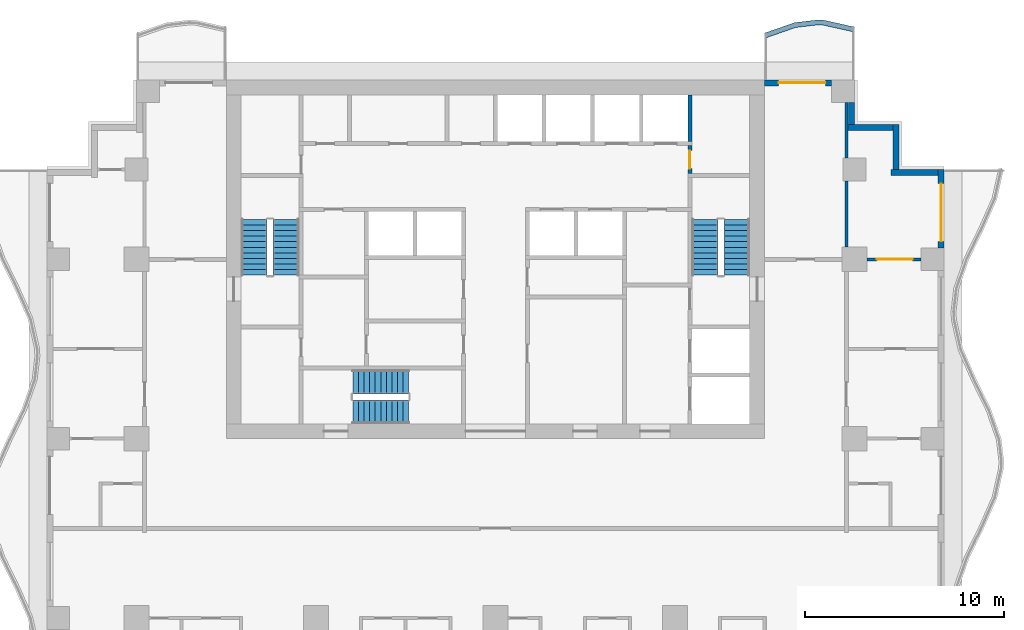
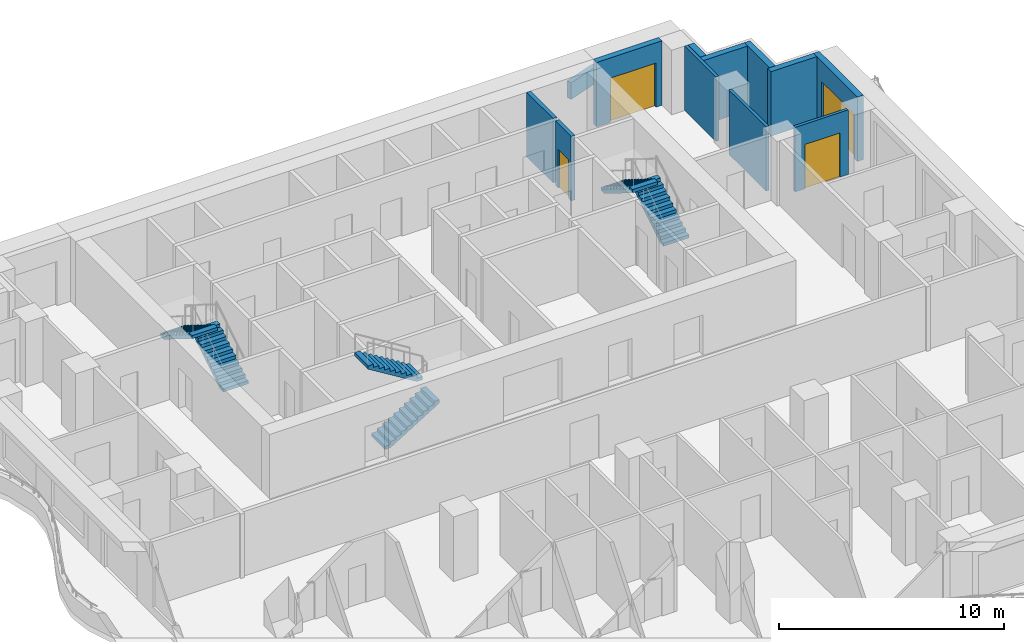
# One storey, part 6 of 10: 12 walls, 6 stair flights, 4 doors, 4 openings, 3 elements without a shape of their own.
"""IFC4 building model written with IfcOpenShell, lengths in metres."""

from ifc_helpers import new_model, si_unit, direction, frame, frame_2d, origin, place, context, subcontext, project, spatial, polyline, rectangle, outline, extrude, material, layer, layer_set, type_object, element, fill, aggregate, save


model = new_model("IFC4")

# Units and contexts
model_context = context("Model", 3, precision=1e-05, world=origin(), true_north=direction((0.0, 1.0)))
body_context = subcontext(model_context, "Body", "Model", "MODEL_VIEW")
ifc_project = project(units=[si_unit("LENGTHUNIT", "METRE"), si_unit("AREAUNIT", "SQUARE_METRE"), si_unit("VOLUMEUNIT", "CUBIC_METRE"), si_unit("PLANEANGLEUNIT", "RADIAN"), si_unit("MASSUNIT", "GRAM", prefix="KILO")], contexts=[model_context])

# Site, building, storey
site_placement = place(None, origin())
site = spatial("IfcSite", under=ifc_project, at=site_placement, CompositionType="ELEMENT")
building_placement = place(site_placement, origin())
building = spatial("IfcBuilding", under=site, at=building_placement, Name="Orbiselva Terraces", CompositionType="ELEMENT")
storey_placement = place(building_placement, frame((0.0, 0.0, 147.8)))
storey = spatial("IfcBuildingStorey", under=building, at=storey_placement, Name="L37", CompositionType="ELEMENT", Elevation=147.8)

# Wall, opening, door
ifc_material_1 = material(Name="Masonry blockwork", Category="masonry")
ifc_layer_1 = layer(ifc_material_1, 0.2)
ifc_layer_set_1 = layer_set([ifc_layer_1], Name="Masonry blockwork")
wall_type_1 = type_object("IfcWallType", Name="CORE-WALL-PARTITION-200", PredefinedType="PARTITIONING", material=ifc_layer_set_1)
wall_1_placement = place(storey_placement, frame((9.75, 19.2, 0.0), z_axis=(0.0, 0.0, 1.0), x_axis=(0.0, -1.0, 0.0)))
wall_1 = element("IfcWall", 1, at=wall_1_placement, inside=storey, type_object=wall_type_1, Name="L37 core wall 51", PredefinedType="PARTITIONING", context=body_context, shape_type="SweptSolid", body=[
    extrude(rectangle(XDim=1.4, YDim=0.2, at=frame_2d((0.7, 0.0))), origin(), (0.0, 0.0, 1.0), 3.5),
])
opening_1_placement = place(wall_1_placement, frame((0.25, 0.0, 0.0)))
opening_1 = element("IfcOpeningElement", 2, at=opening_1_placement, cuts=wall_1, Name="Opening DR900", PredefinedType="OPENING", context=body_context, shape_type="SweptSolid", body=[
    extrude(rectangle(XDim=0.9, YDim=2.1, at=frame_2d((0.45, 1.05))), frame((0.0, 0.11, 0.0), z_axis=(0.0, -1.0, 0.0), x_axis=(1.0, 0.0, 0.0)), (0.0, 0.0, 1.0), 0.22),
])
ifc_material_2 = material(Name="Steel fire door", Category="steel")
door_type_1 = type_object("IfcDoorType", Name="ROOM DOOR 900", OperationType="NOTDEFINED", PredefinedType="DOOR", material=ifc_material_2)
door_1_placement = place(opening_1_placement, origin())
door_1 = element("IfcDoor", 3, at=door_1_placement, inside=storey, type_object=door_type_1, Name="L37 ELECTRICAL RISER ROOM door", OperationType="SINGLE_SWING_RIGHT", OverallHeight=2.1, OverallWidth=0.9, PredefinedType="DOOR", context=body_context, shape_type="SweptSolid", body=[
    extrude(rectangle(XDim=0.9, YDim=2.1, at=frame_2d((0.45, 1.05))), frame((0.0, 0.025, 0.0), z_axis=(0.0, -1.0, 0.0), x_axis=(1.0, 0.0, 0.0)), (0.0, 0.0, 1.0), 0.05),
])
fill(opening_1, door_1)

# Walls
ifc_material_3 = material(Name="Concrete C40/50", Category="concrete")
ifc_layer_2 = layer(ifc_material_3, 0.2)
ifc_layer_set_2 = layer_set([ifc_layer_2], Name="Concrete C40/50")
wall_type_2 = type_object("IfcWallType", Name="CORE-WALL-SHAFT-200", PredefinedType="PARTITIONING", material=ifc_layer_set_2)
wall_2_placement = place(storey_placement, frame((9.75, 19.4, 0.0), z_axis=(0.0, 0.0, 1.0), x_axis=(0.0, 1.0, 0.0)))
element("IfcWall", 4, at=wall_2_placement, inside=storey, type_object=wall_type_2, Name="L37 core wall 52", PredefinedType="PARTITIONING", context=body_context, shape_type="SweptSolid", body=[
    extrude(rectangle(XDim=2.35, YDim=0.2, at=frame_2d((1.175, 0.0))), origin(), (0.0, 0.0, 1.0), 3.5),
])
ifc_layer_3 = layer(ifc_material_3, 0.25)
ifc_layer_set_3 = layer_set([ifc_layer_3], Name="Concrete C40/50")
wall_type_3 = type_object("IfcWallType", Name="ENV-PLANTER-250x900", PredefinedType="USERDEFINED", material=ifc_layer_set_3)
wall_3_placement = place(storey_placement, origin())
element("IfcWall", 5, at=wall_3_placement, inside=storey, type_object=wall_type_3, Name="Balcony planter L37 NE", ObjectType="PLANTER", PredefinedType="USERDEFINED", context=body_context, shape_type="SweptSolid", body=[
    extrude(outline(polyline([(18.0, 25.148528), (16.5, 25.485226), (16.125, 25.5), (15.0, 25.369208), (13.5, 24.844789), (13.582506, 24.608796), (15.056371, 25.124078), (16.134572, 25.249429), (16.467435, 25.236315), (17.945246, 24.904598), (18.0, 25.148528)])), origin(), (0.0, 0.0, 1.0), 0.9),
])

# Wall, opening, door
ifc_material_4 = material(Name="Terracotta cladding on masonry backing", Category="masonry")
ifc_layer_4 = layer(ifc_material_4, 0.3)
ifc_layer_set_4 = layer_set([ifc_layer_4], Name="Terracotta cladding on masonry backing")
wall_type_4 = type_object("IfcWallType", Name="ENV-WALL-TERRACOTTA-300", PredefinedType="SOLIDWALL", material=ifc_layer_set_4)
wall_4_placement = place(storey_placement, frame((22.35, 18.0, 0.0), z_axis=(0.0, 0.0, 1.0), x_axis=(0.0, -1.0, 0.0)))
wall_4 = element("IfcWall", 6, at=wall_4_placement, inside=storey, type_object=wall_type_4, Name="Facade wall L37 E", PredefinedType="SOLIDWALL", context=body_context, shape_type="SweptSolid", body=[
    extrude(rectangle(XDim=3.925, YDim=0.3, at=frame_2d((1.9625, 0.0))), origin(), (0.0, 0.0, 1.0), 3.5),
])
opening_2_placement = place(wall_4_placement, frame((0.7, 0.0, 0.0)))
opening_2 = element("IfcOpeningElement", 7, at=opening_2_placement, cuts=wall_4, Name="Opening Z3-C-E07", PredefinedType="OPENING", context=body_context, shape_type="SweptSolid", body=[
    extrude(rectangle(XDim=2.9, YDim=2.4, at=frame_2d((1.45, 1.2))), frame((0.0, 0.16, 0.0), z_axis=(0.0, -1.0, 0.0), x_axis=(1.0, 0.0, 0.0)), (0.0, 0.0, 1.0), 0.32),
])
ifc_material_5 = material(Name="Clear low-e glazing in aluminium frame", Category="aluminium")
door_type_2 = type_object("IfcDoorType", Name="BALCONY DOOR 2900 X 2400", OperationType="DOUBLE_DOOR_SLIDING", PredefinedType="DOOR", material=ifc_material_5)
door_2_placement = place(opening_2_placement, origin())
door_2 = element("IfcDoor", 8, at=door_2_placement, inside=storey, type_object=door_type_2, Name="Z3-C-E07", OperationType="SINGLE_SWING_LEFT", OverallHeight=2.4, OverallWidth=2.9, PredefinedType="DOOR", context=body_context, shape_type="SweptSolid", body=[
    extrude(rectangle(XDim=2.9, YDim=2.4, at=frame_2d((1.45, 1.2))), frame((0.0, 0.025, 0.0), z_axis=(0.0, -1.0, 0.0), x_axis=(1.0, 0.0, 0.0)), (0.0, 0.0, 1.0), 0.05),
])
fill(opening_2, door_2)

# Walls
wall_5_placement = place(storey_placement, frame((19.85, 17.85, 0.0), z_axis=(0.0, 0.0, 1.0), x_axis=(1.0, 0.0, 0.0)))
element("IfcWall", 9, at=wall_5_placement, inside=storey, type_object=wall_type_4, Name="Facade wall L37 STEP", PredefinedType="SOLIDWALL", context=body_context, shape_type="SweptSolid", body=[
    extrude(rectangle(XDim=2.35, YDim=0.3, at=frame_2d((1.175, 0.0))), origin(), (0.0, 0.0, 1.0), 3.5),
])
wall_6_placement = place(storey_placement, frame((20.1, 20.25, 0.0), z_axis=(0.0, 0.0, 1.0), x_axis=(0.0, -1.0, 0.0)))
element("IfcWall", 10, at=wall_6_placement, inside=storey, type_object=wall_type_4, Name="Facade wall L37 STEP", PredefinedType="SOLIDWALL", context=body_context, shape_type="SweptSolid", body=[
    extrude(rectangle(XDim=2.25, YDim=0.3, at=frame_2d((1.125, 0.0))), origin(), (0.0, 0.0, 1.0), 3.5),
])
wall_7_placement = place(storey_placement, frame((17.6, 20.1, 0.0), z_axis=(0.0, 0.0, 1.0), x_axis=(1.0, 0.0, 0.0)))
element("IfcWall", 11, at=wall_7_placement, inside=storey, type_object=wall_type_4, Name="Facade wall L37 STEP", PredefinedType="SOLIDWALL", context=body_context, shape_type="SweptSolid", body=[
    extrude(rectangle(XDim=2.35, YDim=0.3, at=frame_2d((1.175, 0.0))), origin(), (0.0, 0.0, 1.0), 3.5),
])
wall_8_placement = place(storey_placement, frame((17.85, 21.35, 0.0), z_axis=(0.0, 0.0, 1.0), x_axis=(0.0, -1.0, 0.0)))
element("IfcWall", 12, at=wall_8_placement, inside=storey, type_object=wall_type_4, Name="Facade wall L37 STEP", PredefinedType="SOLIDWALL", context=body_context, shape_type="SweptSolid", body=[
    extrude(rectangle(XDim=1.1, YDim=0.3, at=frame_2d((0.55, 0.0))), origin(), (0.0, 0.0, 1.0), 3.5),
])

# Wall, opening, door
wall_9_placement = place(storey_placement, frame((13.5, 22.35, 0.0), z_axis=(0.0, 0.0, 1.0), x_axis=(1.0, 0.0, 0.0)))
wall_9 = element("IfcWall", 13, at=wall_9_placement, inside=storey, type_object=wall_type_4, Name="Facade wall L37 NE", PredefinedType="SOLIDWALL", context=body_context, shape_type="SweptSolid", body=[
    extrude(rectangle(XDim=3.35, YDim=0.3, at=frame_2d((1.675, 0.0))), origin(), (0.0, 0.0, 1.0), 3.5),
])
opening_3_placement = place(wall_9_placement, frame((0.7, 0.0, 0.0)))
opening_3 = element("IfcOpeningElement", 14, at=opening_3_placement, cuts=wall_9, Name="Opening Z3-C-E08", PredefinedType="OPENING", context=body_context, shape_type="SweptSolid", body=[
    extrude(rectangle(XDim=2.35, YDim=2.4, at=frame_2d((1.175, 1.2))), frame((0.0, 0.16, 0.0), z_axis=(0.0, -1.0, 0.0), x_axis=(1.0, 0.0, 0.0)), (0.0, 0.0, 1.0), 0.32),
])
door_type_3 = type_object("IfcDoorType", Name="BALCONY DOOR 2350 X 2400", OperationType="DOUBLE_DOOR_SLIDING", PredefinedType="DOOR", material=ifc_material_5)
door_3_placement = place(opening_3_placement, origin())
door_3 = element("IfcDoor", 15, at=door_3_placement, inside=storey, type_object=door_type_3, Name="Z3-C-E08", OperationType="SINGLE_SWING_LEFT", OverallHeight=2.4, OverallWidth=2.35, PredefinedType="DOOR", context=body_context, shape_type="SweptSolid", body=[
    extrude(rectangle(XDim=2.35, YDim=2.4, at=frame_2d((1.175, 1.2))), frame((0.0, 0.025, 0.0), z_axis=(0.0, -1.0, 0.0), x_axis=(1.0, 0.0, 0.0)), (0.0, 0.0, 1.0), 0.05),
])
fill(opening_3, door_3)

ifc_material_6 = material(Name="Plasterboard on steel stud partition", Category="steel")
ifc_layer_5 = layer(ifc_material_6, 0.15)
ifc_layer_set_5 = layer_set([ifc_layer_5], Name="Plasterboard on steel stud partition")
wall_type_5 = type_object("IfcWallType", Name="UNIT-PARTITION-150", PredefinedType="PARTITIONING", material=ifc_layer_set_5)
wall_10_placement = place(storey_placement, frame((18.625, 13.5, 0.0), z_axis=(0.0, 0.0, 1.0), x_axis=(1.0, 0.0, 0.0)))
wall_10 = element("IfcWall", 16, at=wall_10_placement, inside=storey, type_object=wall_type_5, Name="PARTITION L37-033", PredefinedType="PARTITIONING", context=body_context, shape_type="SweptSolid", body=[
    extrude(rectangle(XDim=2.725, YDim=0.15, at=frame_2d((1.3625, 0.0))), origin(), (0.0, 0.0, 1.0), 3.5),
])
opening_4_placement = place(wall_10_placement, frame((0.5, 0.0, 0.0)))
opening_4 = element("IfcOpeningElement", 17, at=opening_4_placement, cuts=wall_10, Name="Opening Z3-C-12", PredefinedType="OPENING", context=body_context, shape_type="SweptSolid", body=[
    extrude(rectangle(XDim=1.8, YDim=2.4, at=frame_2d((0.9, 1.2))), frame((0.0, 0.085, 0.0), z_axis=(0.0, -1.0, 0.0), x_axis=(1.0, 0.0, 0.0)), (0.0, 0.0, 1.0), 0.17),
])
ifc_material_7 = material(Name="Painted timber door leaf", Category="wood")
door_type_4 = type_object("IfcDoorType", Name="DOUBLE DOOR 1800", OperationType="NOTDEFINED", PredefinedType="DOOR", material=ifc_material_7)
door_4_placement = place(opening_4_placement, origin())
door_4 = element("IfcDoor", 18, at=door_4_placement, inside=storey, type_object=door_type_4, Name="Z3-C-12", OperationType="DOUBLE_DOOR_SINGLE_SWING", OverallHeight=2.4, OverallWidth=1.8, PredefinedType="DOOR", context=body_context, shape_type="SweptSolid", body=[
    extrude(rectangle(XDim=1.8, YDim=2.4, at=frame_2d((0.9, 1.2))), frame((0.0, 0.025, 0.0), z_axis=(0.0, -1.0, 0.0), x_axis=(1.0, 0.0, 0.0)), (0.0, 0.0, 1.0), 0.05),
])
fill(opening_4, door_4)

# Walls
wall_11_placement = place(storey_placement, frame((17.6, 14.125, 0.0), z_axis=(0.0, 0.0, 1.0), x_axis=(0.0, 1.0, 0.0)))
element("IfcWall", 19, at=wall_11_placement, inside=storey, type_object=wall_type_5, Name="PARTITION L37-061", PredefinedType="PARTITIONING", context=body_context, shape_type="SweptSolid", body=[
    extrude(rectangle(XDim=3.3, YDim=0.15, at=frame_2d((1.65, 0.0))), origin(), (0.0, 0.0, 1.0), 3.5),
])
wall_12_placement = place(storey_placement, frame((17.6, 18.575, 0.0), z_axis=(0.0, 0.0, 1.0), x_axis=(0.0, 1.0, 0.0)))
element("IfcWall", 20, at=wall_12_placement, inside=storey, type_object=wall_type_5, Name="PARTITION L37-062", PredefinedType="PARTITIONING", context=body_context, shape_type="SweptSolid", body=[
    extrude(rectangle(XDim=2.775, YDim=0.15, at=frame_2d((1.3875, 0.0))), origin(), (0.0, 0.0, 1.0), 3.5),
])

# Stair, stair flights
stair_type_1 = type_object("IfcStairType", Name="CORE-STAIR-1200", PredefinedType="HALF_TURN_STAIR", material=ifc_material_3)
stair_1_placement = place(storey_placement, origin())
stair_1 = element("IfcStair", 21, at=stair_1_placement, inside=storey, type_object=stair_type_1, Name="L37 Exit Stair S3", PredefinedType="HALF_TURN_STAIR")
stair_flight_type_1 = type_object("IfcStairFlightType", Name="CORE-STAIR-FLIGHT-1200", PredefinedType="STRAIGHT", material=ifc_material_3)
stair_flight_1_placement = place(storey_placement, frame((-7.15, 5.85, 0.0), z_axis=(0.0, 0.0, 1.0), x_axis=(1.0, 0.0, 0.0)))
stair_flight_1 = element("IfcStairFlight", 22, at=stair_flight_1_placement, type_object=stair_flight_type_1, Name="S3 flight 1", NumberOfRisers=11, NumberOfTreads=10, PredefinedType="STRAIGHT", RiserHeight=0.172727273, TreadLength=0.28, context=body_context, shape_type="SweptSolid", body=[
    extrude(outline(polyline([(0.0, 0.0), (0.0, 0.172727), (0.28, 0.172727), (0.28, 0.345455), (0.56, 0.345455), (0.56, 0.518182), (0.84, 0.518182), (0.84, 0.690909), (1.12, 0.690909), (1.12, 0.863636), (1.4, 0.863636), (1.4, 1.036364), (1.68, 1.036364), (1.68, 1.209091), (1.96, 1.209091), (1.96, 1.381818), (2.24, 1.381818), (2.24, 1.554545), (2.52, 1.554545), (2.52, 1.727273), (2.8, 1.727273), (2.8, 1.9), (2.8, 1.551028), (0.285702, 0.0), (0.0, 0.0)])), frame((0.0, 0.6, 0.0), z_axis=(0.0, -1.0, 0.0), x_axis=(1.0, 0.0, 0.0)), (0.0, 0.0, 1.0), 1.2),
])
stair_flight_2_placement = place(storey_placement, frame((-4.35, 7.35, 1.9), z_axis=(0.0, 0.0, 1.0), x_axis=(-1.0, 0.0, 0.0)))
stair_flight_2 = element("IfcStairFlight", 23, at=stair_flight_2_placement, type_object=stair_flight_type_1, Name="S3 flight 2", NumberOfRisers=11, NumberOfTreads=10, PredefinedType="STRAIGHT", RiserHeight=0.172727273, TreadLength=0.28, context=body_context, shape_type="SweptSolid", body=[
    extrude(outline(polyline([(0.0, 0.0), (0.0, 0.172727), (0.28, 0.172727), (0.28, 0.345455), (0.56, 0.345455), (0.56, 0.518182), (0.84, 0.518182), (0.84, 0.690909), (1.12, 0.690909), (1.12, 0.863636), (1.4, 0.863636), (1.4, 1.036364), (1.68, 1.036364), (1.68, 1.209091), (1.96, 1.209091), (1.96, 1.381818), (2.24, 1.381818), (2.24, 1.554545), (2.52, 1.554545), (2.52, 1.727273), (2.8, 1.727273), (2.8, 1.9), (2.8, 1.551028), (0.285702, 0.0), (0.0, 0.0)])), frame((0.0, 0.6, 0.0), z_axis=(0.0, -1.0, 0.0), x_axis=(1.0, 0.0, 0.0)), (0.0, 0.0, 1.0), 1.2),
])
aggregate(stair_1, [stair_flight_1, stair_flight_2])

stair_type_2 = type_object("IfcStairType", Name="CORE-STAIR-1300", PredefinedType="HALF_TURN_STAIR", material=ifc_material_3)
stair_2_placement = place(storey_placement, origin())
stair_2 = element("IfcStair", 24, at=stair_2_placement, inside=storey, type_object=stair_type_2, Name="L37 Exit Stair S1", PredefinedType="HALF_TURN_STAIR")
stair_flight_type_2 = type_object("IfcStairFlightType", Name="CORE-STAIR-FLIGHT-1300", PredefinedType="STRAIGHT", material=ifc_material_3)
stair_flight_3_placement = place(storey_placement, frame((-10.5, 12.7, 0.0), z_axis=(0.0, 0.0, 1.0), x_axis=(0.0, 1.0, 0.0)))
stair_flight_3 = element("IfcStairFlight", 25, at=stair_flight_3_placement, type_object=stair_flight_type_2, Name="S1 flight 1", NumberOfRisers=11, NumberOfTreads=10, PredefinedType="STRAIGHT", RiserHeight=0.172727273, TreadLength=0.28, context=body_context, shape_type="SweptSolid", body=[
    extrude(outline(polyline([(0.0, 0.0), (0.0, 0.172727), (0.28, 0.172727), (0.28, 0.345455), (0.56, 0.345455), (0.56, 0.518182), (0.84, 0.518182), (0.84, 0.690909), (1.12, 0.690909), (1.12, 0.863636), (1.4, 0.863636), (1.4, 1.036364), (1.68, 1.036364), (1.68, 1.209091), (1.96, 1.209091), (1.96, 1.381818), (2.24, 1.381818), (2.24, 1.554545), (2.52, 1.554545), (2.52, 1.727273), (2.8, 1.727273), (2.8, 1.9), (2.8, 1.551028), (0.285702, 0.0), (0.0, 0.0)])), frame((0.0, 0.65, 0.0), z_axis=(0.0, -1.0, 0.0), x_axis=(1.0, 0.0, 0.0)), (0.0, 0.0, 1.0), 1.3),
])
stair_flight_4_placement = place(storey_placement, frame((-12.1, 15.5, 1.9), z_axis=(0.0, 0.0, 1.0), x_axis=(0.0, -1.0, 0.0)))
stair_flight_4 = element("IfcStairFlight", 26, at=stair_flight_4_placement, type_object=stair_flight_type_2, Name="S1 flight 2", NumberOfRisers=11, NumberOfTreads=10, PredefinedType="STRAIGHT", RiserHeight=0.172727273, TreadLength=0.28, context=body_context, shape_type="SweptSolid", body=[
    extrude(outline(polyline([(0.0, 0.0), (0.0, 0.172727), (0.28, 0.172727), (0.28, 0.345455), (0.56, 0.345455), (0.56, 0.518182), (0.84, 0.518182), (0.84, 0.690909), (1.12, 0.690909), (1.12, 0.863636), (1.4, 0.863636), (1.4, 1.036364), (1.68, 1.036364), (1.68, 1.209091), (1.96, 1.209091), (1.96, 1.381818), (2.24, 1.381818), (2.24, 1.554545), (2.52, 1.554545), (2.52, 1.727273), (2.8, 1.727273), (2.8, 1.9), (2.8, 1.551028), (0.285702, 0.0), (0.0, 0.0)])), frame((0.0, 0.65, 0.0), z_axis=(0.0, -1.0, 0.0), x_axis=(1.0, 0.0, 0.0)), (0.0, 0.0, 1.0), 1.3),
])
aggregate(stair_2, [stair_flight_3, stair_flight_4])

stair_3_placement = place(storey_placement, origin())
stair_3 = element("IfcStair", 27, at=stair_3_placement, inside=storey, type_object=stair_type_2, Name="L37 Exit Stair S2", PredefinedType="HALF_TURN_STAIR")
stair_flight_5_placement = place(storey_placement, frame((12.1, 12.7, 0.0), z_axis=(0.0, 0.0, 1.0), x_axis=(0.0, 1.0, 0.0)))
stair_flight_5 = element("IfcStairFlight", 28, at=stair_flight_5_placement, type_object=stair_flight_type_2, Name="S2 flight 1", NumberOfRisers=11, NumberOfTreads=10, PredefinedType="STRAIGHT", RiserHeight=0.172727273, TreadLength=0.28, context=body_context, shape_type="SweptSolid", body=[
    extrude(outline(polyline([(0.0, 0.0), (0.0, 0.172727), (0.28, 0.172727), (0.28, 0.345455), (0.56, 0.345455), (0.56, 0.518182), (0.84, 0.518182), (0.84, 0.690909), (1.12, 0.690909), (1.12, 0.863636), (1.4, 0.863636), (1.4, 1.036364), (1.68, 1.036364), (1.68, 1.209091), (1.96, 1.209091), (1.96, 1.381818), (2.24, 1.381818), (2.24, 1.554545), (2.52, 1.554545), (2.52, 1.727273), (2.8, 1.727273), (2.8, 1.9), (2.8, 1.551028), (0.285702, 0.0), (0.0, 0.0)])), frame((0.0, 0.65, 0.0), z_axis=(0.0, -1.0, 0.0), x_axis=(1.0, 0.0, 0.0)), (0.0, 0.0, 1.0), 1.3),
])
stair_flight_6_placement = place(storey_placement, frame((10.5, 15.5, 1.9), z_axis=(0.0, 0.0, 1.0), x_axis=(0.0, -1.0, 0.0)))
stair_flight_6 = element("IfcStairFlight", 29, at=stair_flight_6_placement, type_object=stair_flight_type_2, Name="S2 flight 2", NumberOfRisers=11, NumberOfTreads=10, PredefinedType="STRAIGHT", RiserHeight=0.172727273, TreadLength=0.28, context=body_context, shape_type="SweptSolid", body=[
    extrude(outline(polyline([(0.0, 0.0), (0.0, 0.172727), (0.28, 0.172727), (0.28, 0.345455), (0.56, 0.345455), (0.56, 0.518182), (0.84, 0.518182), (0.84, 0.690909), (1.12, 0.690909), (1.12, 0.863636), (1.4, 0.863636), (1.4, 1.036364), (1.68, 1.036364), (1.68, 1.209091), (1.96, 1.209091), (1.96, 1.381818), (2.24, 1.381818), (2.24, 1.554545), (2.52, 1.554545), (2.52, 1.727273), (2.8, 1.727273), (2.8, 1.9), (2.8, 1.551028), (0.285702, 0.0), (0.0, 0.0)])), frame((0.0, 0.65, 0.0), z_axis=(0.0, -1.0, 0.0), x_axis=(1.0, 0.0, 0.0)), (0.0, 0.0, 1.0), 1.3),
])
aggregate(stair_3, [stair_flight_5, stair_flight_6])

save(model, "model.ifc")
